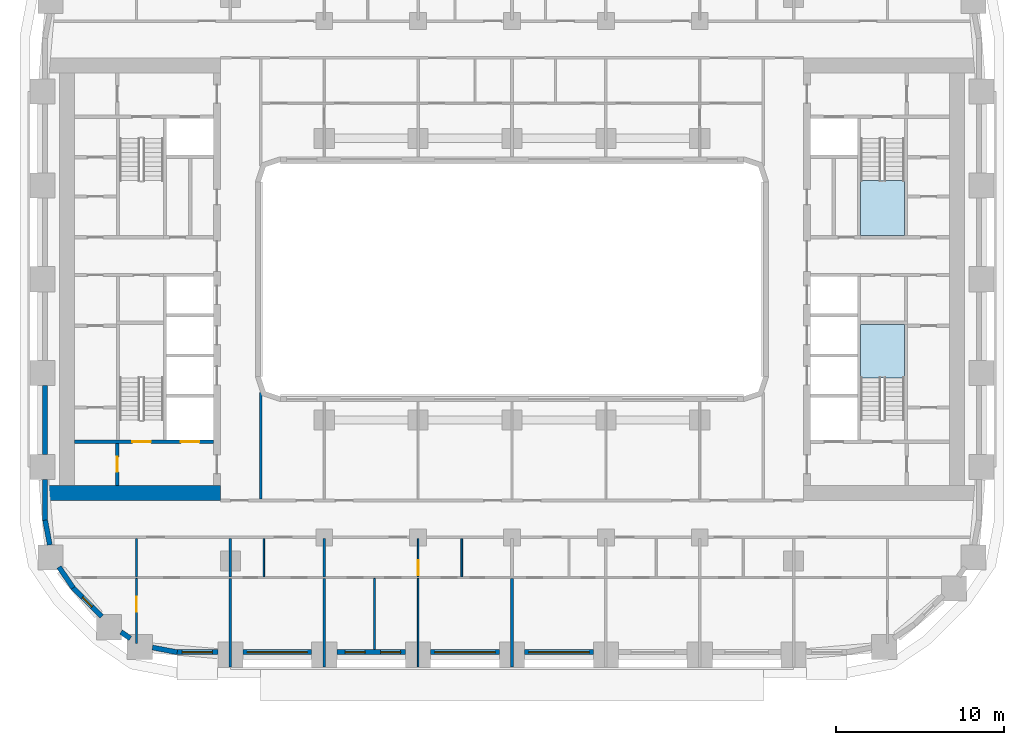
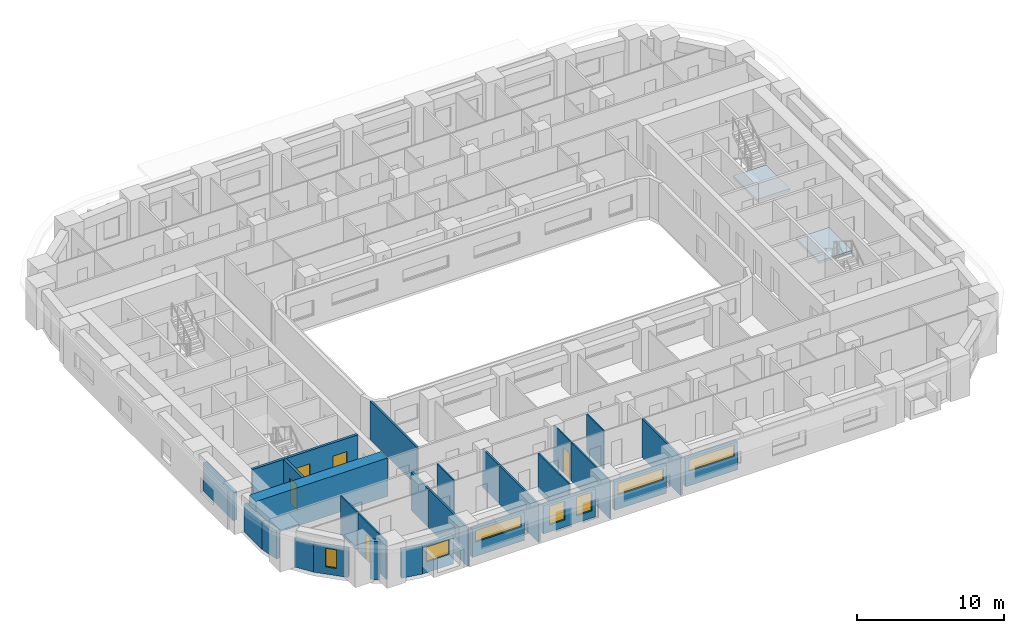
# One storey, part 2 of 22: 28 walls, 7 windows, 5 doors, 2 slabs, 12 openings, 2 elements without a shape of their own.
"""IFC4 building model written with IfcOpenShell, lengths in metres."""

from ifc_helpers import new_model, si_unit, direction, frame, frame_2d, origin, place, context, subcontext, project, spatial, polyline, rectangle, outline, extrude, material, layer, layer_set, type_object, element, fill, aggregate, save


model = new_model("IFC4")

# Units and contexts
model_context = context("Model", 3, precision=1e-05, world=origin(), true_north=direction((0.0, 1.0)))
body_context = subcontext(model_context, "Body", "Model", "MODEL_VIEW")
ifc_project = project(units=[si_unit("LENGTHUNIT", "METRE"), si_unit("AREAUNIT", "SQUARE_METRE"), si_unit("VOLUMEUNIT", "CUBIC_METRE"), si_unit("PLANEANGLEUNIT", "RADIAN"), si_unit("MASSUNIT", "GRAM", prefix="KILO")], contexts=[model_context])

# Site, building, storey
site_placement = place(None, origin())
site = spatial("IfcSite", under=ifc_project, at=site_placement, CompositionType="ELEMENT")
building_placement = place(site_placement, origin())
building = spatial("IfcBuilding", under=site, at=building_placement, Name="Kiln Ring Residences", CompositionType="ELEMENT")
storey_placement = place(building_placement, frame((0.0, 0.0, 44.5)))
storey = spatial("IfcBuildingStorey", under=building, at=storey_placement, Name="L10", CompositionType="ELEMENT", Elevation=44.5)

# Stair, slab
ifc_material_1 = material(Name="Concrete C40/50", Category="concrete")
stair_type = type_object("IfcStairType", Name="CORE-STAIR", PredefinedType="HALF_TURN_STAIR", material=ifc_material_1)
placement_1 = place(storey_placement, origin())
stair_1 = element("IfcStair", 1, at=placement_1, inside=storey, type_object=stair_type, Name="L10 stair E-STN", PredefinedType="HALF_TURN_STAIR")
ifc_material_2 = material(Name="Concrete C40/50", Category="concrete")
ifc_layer_1 = layer(ifc_material_2, 0.199951171875)
ifc_layer_set_1 = layer_set([ifc_layer_1], Name="CORE-STAIR-LANDING")
slab_type = type_object("IfcSlabType", Name="CORE-STAIR-LANDING", PredefinedType="LANDING", material=ifc_layer_set_1)
placement_2 = place(storey_placement, frame((0.0, 0.0, 1.550048828125)))
slab_1 = element("IfcSlab", 2, at=placement_2, type_object=slab_type, Name="E-STN landing 1", PredefinedType="LANDING", context=body_context, shape_type="SweptSolid", body=[
    extrude(outline(polyline([(20.800048828125, 5.8798828125), (20.800048828125, 2.60009765625), (23.39990234375, 2.60009765625), (23.39990234375, 5.8798828125), (20.800048828125, 5.8798828125)])), origin(), (0.0, 0.0, 1.0), 0.199951171875),
])
aggregate(stair_1, [slab_1])

stair_2 = element("IfcStair", 3, at=placement_1, inside=storey, type_object=stair_type, Name="L10 stair E-STS", PredefinedType="HALF_TURN_STAIR")
slab_2 = element("IfcSlab", 4, at=placement_2, type_object=slab_type, Name="E-STS landing 1", PredefinedType="LANDING", context=body_context, shape_type="SweptSolid", body=[
    extrude(outline(polyline([(23.39990234375, -5.8798828125), (23.39990234375, -2.699951171875), (20.800048828125, -2.699951171875), (20.800048828125, -5.8798828125), (23.39990234375, -5.8798828125)])), origin(), (0.0, 0.0, 1.0), 0.199951171875),
])
aggregate(stair_2, [slab_2])

# Wall, opening, door
ifc_material_3 = material(Name="Gypsum board on steel studs", Category="steel")
ifc_layer_2 = layer(ifc_material_3, 0.199951171875)
ifc_layer_set_2 = layer_set([ifc_layer_2], Name="CORE-PARTITION-200")
wall_type_1 = type_object("IfcWallType", Name="CORE-PARTITION-200", PredefinedType="PARTITIONING", material=ifc_layer_set_2)
wall_1_placement = place(storey_placement, frame((-23.550048828125, -12.300048828125, 0.0), z_axis=(0.0, 0.0, 1.0), x_axis=(0.0, 1.0, 0.0)))
wall_1 = element("IfcWall", 5, at=wall_1_placement, inside=storey, type_object=wall_type_1, Name="Core partition west L10 5", PredefinedType="PARTITIONING", context=body_context, shape_type="SweptSolid", body=[
    extrude(rectangle(XDim=2.5, YDim=0.199951171875, at=frame_2d((1.25, 0.0))), origin(), (0.0, 0.0, 1.0), 3.199951171875),
])
opening_1_placement = place(wall_1_placement, frame((0.800048828125, 0.0, 0.0)))
opening_1 = element("IfcOpeningElement", 6, at=opening_1_placement, cuts=wall_1, Name="Opening L10-CW11", PredefinedType="OPENING", context=body_context, shape_type="SweptSolid", body=[
    extrude(rectangle(XDim=0.89990234375, YDim=2.10009765625, at=frame_2d((0.449951171875, 1.050048828125))), frame((0.0, 0.10986328125, 0.0), z_axis=(0.0, -1.0, 0.0), x_axis=(1.0, 0.0, 0.0)), (0.0, 0.0, 1.0), 0.219970703125),
])
ifc_material_4 = material(Name="Steel door leaf", Category="steel")
door_type_1 = type_object("IfcDoorType", Name="CORE-DOOR-ROOM", OperationType="SINGLE_SWING_LEFT", PredefinedType="DOOR", material=ifc_material_4)
door_1_placement = place(opening_1_placement, origin())
door_1 = element("IfcDoor", 7, at=door_1_placement, inside=storey, type_object=door_type_1, Name="Store L10-CW11", OperationType="SINGLE_SWING_LEFT", OverallHeight=2.10009765625, OverallWidth=0.89990234375, PredefinedType="DOOR", context=body_context, shape_type="SweptSolid", body=[
    extrude(rectangle(XDim=0.89990234375, YDim=2.10009765625, at=frame_2d((0.449951171875, 1.050048828125))), frame((0.0, 0.02490234375, 0.0), z_axis=(0.0, -1.0, 0.0), x_axis=(1.0, 0.0, 0.0)), (0.0, 0.0, 1.0), 0.050048828125),
])
fill(opening_1, door_1)

# Wall, openings, doors
ifc_material_5 = material(Name="Concrete C40/50", Category="concrete")
ifc_layer_3 = layer(ifc_material_5, 0.199951171875)
ifc_layer_set_3 = layer_set([ifc_layer_3], Name="CORE-WALL-RC200")
wall_type_2 = type_object("IfcWallType", Name="CORE-WALL-RC200", PredefinedType="SHEAR", material=ifc_layer_set_3)
wall_2_placement = place(storey_placement, frame((-17.800048828125, -9.699951171875, 0.0), z_axis=(0.0, 0.0, 1.0), x_axis=(-1.0, 0.0, 0.0)))
wall_2 = element("IfcWall", 8, at=wall_2_placement, inside=storey, type_object=wall_type_2, Name="Core wall west L10 8", PredefinedType="SHEAR", context=body_context, shape_type="SweptSolid", body=[
    extrude(rectangle(XDim=8.300048828125, YDim=0.199951171875, at=frame_2d((4.14990234375, 0.0))), origin(), (0.0, 0.0, 1.0), 3.199951171875),
])
opening_2_placement = place(wall_2_placement, frame((0.85009765625, 0.0, 0.0)))
opening_2 = element("IfcOpeningElement", 9, at=opening_2_placement, cuts=wall_2, Name="Opening L10-CW01", PredefinedType="OPENING", context=body_context, shape_type="SweptSolid", body=[
    extrude(rectangle(XDim=1.10009765625, YDim=2.10009765625, at=frame_2d((0.550048828125, 1.050048828125))), frame((0.0, 0.10986328125, 0.0), z_axis=(0.0, -1.0, 0.0), x_axis=(1.0, 0.0, 0.0)), (0.0, 0.0, 1.0), 0.219970703125),
])
opening_3_placement = place(wall_2_placement, frame((3.75, 0.0, 0.0)))
opening_3 = element("IfcOpeningElement", 10, at=opening_3_placement, cuts=wall_2, Name="Opening L10-CW13", PredefinedType="OPENING", context=body_context, shape_type="SweptSolid", body=[
    extrude(rectangle(XDim=1.10009765625, YDim=2.10009765625, at=frame_2d((0.550048828125, 1.050048828125))), frame((0.0, 0.10986328125, 0.0), z_axis=(0.0, -1.0, 0.0), x_axis=(1.0, 0.0, 0.0)), (0.0, 0.0, 1.0), 0.219970703125),
])
ifc_material_6 = material(Name="Steel door leaf", Category="steel")
door_type_2 = type_object("IfcDoorType", Name="CORE-DOOR-LD", OperationType="DOUBLE_DOOR_SLIDING", PredefinedType="DOOR", material=ifc_material_6)
door_2_placement = place(opening_2_placement, origin())
door_2 = element("IfcDoor", 11, at=door_2_placement, inside=storey, type_object=door_type_2, Name="LD W-SV L10-CW01", OperationType="DOUBLE_DOOR_SLIDING", OverallHeight=2.10009765625, OverallWidth=1.10009765625, PredefinedType="DOOR", context=body_context, shape_type="SweptSolid", body=[
    extrude(rectangle(XDim=1.10009765625, YDim=2.10009765625, at=frame_2d((0.550048828125, 1.050048828125))), frame((0.0, 0.02490234375, 0.0), z_axis=(0.0, -1.0, 0.0), x_axis=(1.0, 0.0, 0.0)), (0.0, 0.0, 1.0), 0.050048828125),
])
fill(opening_2, door_2)
ifc_material_7 = material(Name="Steel door leaf", Category="steel")
door_type_3 = type_object("IfcDoorType", Name="CORE-DOOR-STAIR", OperationType="SINGLE_SWING_LEFT", PredefinedType="DOOR", material=ifc_material_7)
door_3_placement = place(opening_3_placement, origin())
door_3 = element("IfcDoor", 12, at=door_3_placement, inside=storey, type_object=door_type_3, Name="Stair W-STS L10-CW13", OperationType="SINGLE_SWING_RIGHT", OverallHeight=2.10009765625, OverallWidth=1.10009765625, PredefinedType="DOOR", context=body_context, shape_type="SweptSolid", body=[
    extrude(rectangle(XDim=1.10009765625, YDim=2.10009765625, at=frame_2d((0.550048828125, 1.050048828125))), frame((0.0, 0.02490234375, 0.0), z_axis=(0.0, -1.0, 0.0), x_axis=(1.0, 0.0, 0.0)), (0.0, 0.0, 1.0), 0.050048828125),
])
fill(opening_3, door_3)

# Wall
ifc_material_8 = material(Name="Concrete C60/75", Category="concrete")
ifc_layer_4 = layer(ifc_material_8, 0.89990234375)
ifc_layer_set_4 = layer_set([ifc_layer_4], Name="CORE-WALL-RC900")
wall_type_3 = type_object("IfcWallType", Name="CORE-WALL-RC900", PredefinedType="SHEAR", material=ifc_layer_set_4)
wall_3_placement = place(storey_placement, frame((-17.39990234375, -12.75, 0.0), z_axis=(0.0, 0.0, 1.0), x_axis=(-1.0, 0.0, 0.0)))
element("IfcWall", 13, at=wall_3_placement, inside=storey, type_object=wall_type_3, Name="Core wall west L10 5", PredefinedType="SHEAR", context=body_context, shape_type="SweptSolid", body=[
    extrude(rectangle(XDim=10.400146484375, YDim=0.89990234375, at=frame_2d((5.2001953125, 0.0))), origin(), (0.0, 0.0, 1.0), 3.199951171875),
])

# Wall, opening, window
ifc_material_9 = material(Name="Brick masonry, dark clay brick", Category="masonry")
ifc_layer_5 = layer(ifc_material_9, 0.300048828125)
ifc_layer_set_5 = layer_set([ifc_layer_5], Name="EW-300 BRICK WALL")
wall_type_4 = type_object("IfcWallType", Name="EW-300 BRICK WALL", PredefinedType="SOLIDWALL", material=ifc_layer_set_5)
wall_4_placement = place(storey_placement, frame((-26.19677734375, -18.390869140625, 0.0), z_axis=(0.0, 0.0, 1.0), x_axis=(0.707106781187, -0.707106781187, 0.0)))
wall_4 = element("IfcWall", 14, at=wall_4_placement, inside=storey, type_object=wall_type_4, Name="Facade wall L10 1", PredefinedType="SOLIDWALL", context=body_context, shape_type="SweptSolid", body=[
    extrude(rectangle(XDim=2.449951171875, YDim=0.300048828125, at=frame_2d((1.22509765625, 0.0))), origin(), (0.0, 0.0, 1.0), 2.35009765625),
])
opening_4_placement = place(wall_4_placement, frame((0.824951171875, 0.0, 0.60009765625)))
opening_4 = element("IfcOpeningElement", 15, at=opening_4_placement, cuts=wall_4, Name="Opening W5", PredefinedType="OPENING", context=body_context, shape_type="SweptSolid", body=[
    extrude(rectangle(XDim=0.800048828125, YDim=1.550048828125, at=frame_2d((0.39990234375, 0.77490234375))), frame((0.0, 0.159912109375, 0.0), z_axis=(0.0, -1.0, 0.0), x_axis=(1.0, 0.0, 0.0)), (0.0, 0.0, 1.0), 0.320068359375),
])
ifc_material_10 = material(Name="Aluminium frame with double glazing", Category="aluminium")
window_type_1 = type_object("IfcWindowType", Name="WINDOW 800 x 1550", PartitioningType="SINGLE_PANEL", PredefinedType="WINDOW", material=ifc_material_10)
window_1_placement = place(opening_4_placement, origin())
window_1 = element("IfcWindow", 16, at=window_1_placement, inside=storey, type_object=window_type_1, Name="Window L10 1", OverallHeight=1.550048828125, OverallWidth=0.800048828125, PartitioningType="SINGLE_PANEL", PredefinedType="WINDOW", context=body_context, shape_type="SweptSolid", body=[
    extrude(rectangle(XDim=0.800048828125, YDim=1.550048828125, at=frame_2d((0.39990234375, 0.77490234375))), frame((0.0, 0.030029296875, 0.0), z_axis=(0.0, -1.0, 0.0), x_axis=(1.0, 0.0, 0.0)), (0.0, 0.0, 1.0), 0.06005859375),
])
fill(opening_4, window_1)

# Walls
wall_5_placement = place(storey_placement, frame((-23.3271484375, -21.044921875, 0.0), z_axis=(0.0, 0.0, 1.0), x_axis=(0.827080706709, -0.562083182981, 0.0)))
element("IfcWall", 17, at=wall_5_placement, inside=storey, type_object=wall_type_4, Name="Facade wall L10 2", PredefinedType="SOLIDWALL", context=body_context, shape_type="SweptSolid", body=[
    extrude(rectangle(XDim=0.67724609375, YDim=0.300048828125, at=frame_2d((0.338623046875, 0.0))), origin(), (0.0, 0.0, 1.0), 3.199951171875),
])
wall_6_placement = place(storey_placement, frame((-21.451416015625, -21.970458984375, 0.0), z_axis=(0.0, 0.0, 1.0), x_axis=(0.982287454367, -0.187380247071, 0.0)))
element("IfcWall", 18, at=wall_6_placement, inside=storey, type_object=wall_type_4, Name="Facade wall L10 3", PredefinedType="SOLIDWALL", context=body_context, shape_type="SweptSolid", body=[
    extrude(rectangle(XDim=1.506103515625, YDim=0.300048828125, at=frame_2d((0.7529296875, 0.0))), origin(), (0.0, 0.0, 1.0), 2.35009765625),
])

# Wall, opening, window
wall_7_placement = place(storey_placement, frame((-20.0, -22.25, 0.0), z_axis=(0.0, 0.0, 1.0), x_axis=(1.0, 0.0, 0.0)))
wall_7 = element("IfcWall", 19, at=wall_7_placement, inside=storey, type_object=wall_type_4, Name="Facade wall L10 4", PredefinedType="SOLIDWALL", context=body_context, shape_type="SweptSolid", body=[
    extrude(rectangle(XDim=2.449951171875, YDim=0.300048828125, at=frame_2d((1.22509765625, 0.0))), origin(), (0.0, 0.0, 1.0), 2.35009765625),
])
opening_5_placement = place(wall_7_placement, frame((0.324951171875, 0.0, 0.89990234375)))
opening_5 = element("IfcOpeningElement", 20, at=opening_5_placement, cuts=wall_7, Name="Opening W2", PredefinedType="OPENING", context=body_context, shape_type="SweptSolid", body=[
    extrude(rectangle(XDim=1.800048828125, YDim=1.25, at=frame_2d((0.89990234375, 0.625))), frame((0.0, 0.159912109375, 0.0), z_axis=(0.0, -1.0, 0.0), x_axis=(1.0, 0.0, 0.0)), (0.0, 0.0, 1.0), 0.320068359375),
])
ifc_material_11 = material(Name="Aluminium frame with double glazing", Category="aluminium")
window_type_2 = type_object("IfcWindowType", Name="WINDOW 1800 x 1250", PartitioningType="SINGLE_PANEL", PredefinedType="WINDOW", material=ifc_material_11)
window_2_placement = place(opening_5_placement, origin())
window_2 = element("IfcWindow", 21, at=window_2_placement, inside=storey, type_object=window_type_2, Name="Window L10 2", OverallHeight=1.25, OverallWidth=1.800048828125, PartitioningType="SINGLE_PANEL", PredefinedType="WINDOW", context=body_context, shape_type="SweptSolid", body=[
    extrude(rectangle(XDim=1.800048828125, YDim=1.25, at=frame_2d((0.89990234375, 0.625))), frame((0.0, 0.030029296875, 0.0), z_axis=(0.0, -1.0, 0.0), x_axis=(1.0, 0.0, 0.0)), (0.0, 0.0, 1.0), 0.06005859375),
])
fill(opening_5, window_2)

wall_8_placement = place(storey_placement, frame((-16.050048828125, -22.25, 0.0), z_axis=(0.0, 0.0, 1.0), x_axis=(1.0, 0.0, 0.0)))
wall_8 = element("IfcWall", 22, at=wall_8_placement, inside=storey, type_object=wall_type_4, Name="Facade wall L10 5", PredefinedType="SOLIDWALL", context=body_context, shape_type="SweptSolid", body=[
    extrude(rectangle(XDim=4.10009765625, YDim=0.300048828125, at=frame_2d((2.050048828125, 0.0))), origin(), (0.0, 0.0, 1.0), 2.35009765625),
])
opening_6_placement = place(wall_8_placement, frame((0.25, 0.0, 1.199951171875)))
opening_6 = element("IfcOpeningElement", 23, at=opening_6_placement, cuts=wall_8, Name="Opening W4", PredefinedType="OPENING", context=body_context, shape_type="SweptSolid", body=[
    extrude(rectangle(XDim=3.60009765625, YDim=0.949951171875, at=frame_2d((1.800048828125, 0.47509765625))), frame((0.0, 0.159912109375, 0.0), z_axis=(0.0, -1.0, 0.0), x_axis=(1.0, 0.0, 0.0)), (0.0, 0.0, 1.0), 0.320068359375),
])
ifc_material_12 = material(Name="Aluminium frame with double glazing", Category="aluminium")
window_type_3 = type_object("IfcWindowType", Name="WINDOW 3600 x 950", PartitioningType="SINGLE_PANEL", PredefinedType="WINDOW", material=ifc_material_12)
window_3_placement = place(opening_6_placement, origin())
window_3 = element("IfcWindow", 24, at=window_3_placement, inside=storey, type_object=window_type_3, Name="Window L10 3", OverallHeight=0.949951171875, OverallWidth=3.60009765625, PartitioningType="SINGLE_PANEL", PredefinedType="WINDOW", context=body_context, shape_type="SweptSolid", body=[
    extrude(rectangle(XDim=3.60009765625, YDim=0.949951171875, at=frame_2d((1.800048828125, 0.47509765625))), frame((0.0, 0.030029296875, 0.0), z_axis=(0.0, -1.0, 0.0), x_axis=(1.0, 0.0, 0.0)), (0.0, 0.0, 1.0), 0.06005859375),
])
fill(opening_6, window_3)

# Wall, openings, windows
wall_9_placement = place(storey_placement, frame((-10.449951171875, -22.25, 0.0), z_axis=(0.0, 0.0, 1.0), x_axis=(1.0, 0.0, 0.0)))
wall_9 = element("IfcWall", 25, at=wall_9_placement, inside=storey, type_object=wall_type_4, Name="Facade wall L10 6", PredefinedType="SOLIDWALL", context=body_context, shape_type="SweptSolid", body=[
    extrude(rectangle(XDim=4.099853515625, YDim=0.300048828125, at=frame_2d((2.0498046875, 0.0))), origin(), (0.0, 0.0, 1.0), 2.35009765625),
])
opening_7_placement = place(wall_9_placement, frame((0.487548828125, 0.0, 0.60009765625)))
opening_7 = element("IfcOpeningElement", 26, at=opening_7_placement, cuts=wall_9, Name="Opening W1", PredefinedType="OPENING", context=body_context, shape_type="SweptSolid", body=[
    extrude(rectangle(XDim=1.199951171875, YDim=1.550048828125, at=frame_2d((0.60009765625, 0.77490234375))), frame((0.0, 0.159912109375, 0.0), z_axis=(0.0, -1.0, 0.0), x_axis=(1.0, 0.0, 0.0)), (0.0, 0.0, 1.0), 0.320068359375),
])
opening_8_placement = place(wall_9_placement, frame((2.612548828125, 0.0, 0.60009765625)))
opening_8 = element("IfcOpeningElement", 27, at=opening_8_placement, cuts=wall_9, Name="Opening W1", PredefinedType="OPENING", context=body_context, shape_type="SweptSolid", body=[
    extrude(rectangle(XDim=1.199951171875, YDim=1.550048828125, at=frame_2d((0.60009765625, 0.77490234375))), frame((0.0, 0.159912109375, 0.0), z_axis=(0.0, -1.0, 0.0), x_axis=(1.0, 0.0, 0.0)), (0.0, 0.0, 1.0), 0.320068359375),
])
ifc_material_13 = material(Name="Aluminium frame with double glazing", Category="aluminium")
window_type_4 = type_object("IfcWindowType", Name="WINDOW 1200 x 1550", PartitioningType="SINGLE_PANEL", PredefinedType="WINDOW", material=ifc_material_13)
window_4_placement = place(opening_7_placement, origin())
window_4 = element("IfcWindow", 28, at=window_4_placement, inside=storey, type_object=window_type_4, Name="Window L10 4", OverallHeight=1.550048828125, OverallWidth=1.199951171875, PartitioningType="SINGLE_PANEL", PredefinedType="WINDOW", context=body_context, shape_type="SweptSolid", body=[
    extrude(rectangle(XDim=1.199951171875, YDim=1.550048828125, at=frame_2d((0.60009765625, 0.77490234375))), frame((0.0, 0.030029296875, 0.0), z_axis=(0.0, -1.0, 0.0), x_axis=(1.0, 0.0, 0.0)), (0.0, 0.0, 1.0), 0.06005859375),
])
fill(opening_7, window_4)
window_5_placement = place(opening_8_placement, origin())
window_5 = element("IfcWindow", 29, at=window_5_placement, inside=storey, type_object=window_type_4, Name="Window L10 5", OverallHeight=1.550048828125, OverallWidth=1.199951171875, PartitioningType="SINGLE_PANEL", PredefinedType="WINDOW", context=body_context, shape_type="SweptSolid", body=[
    extrude(rectangle(XDim=1.199951171875, YDim=1.550048828125, at=frame_2d((0.60009765625, 0.77490234375))), frame((0.0, 0.030029296875, 0.0), z_axis=(0.0, -1.0, 0.0), x_axis=(1.0, 0.0, 0.0)), (0.0, 0.0, 1.0), 0.06005859375),
])
fill(opening_8, window_5)

# Wall, opening, window
wall_10_placement = place(storey_placement, frame((-4.85009765625, -22.25, 0.0), z_axis=(0.0, 0.0, 1.0), x_axis=(1.0, 0.0, 0.0)))
wall_10 = element("IfcWall", 30, at=wall_10_placement, inside=storey, type_object=wall_type_4, Name="Facade wall L10 7", PredefinedType="SOLIDWALL", context=body_context, shape_type="SweptSolid", body=[
    extrude(rectangle(XDim=4.10009765625, YDim=0.300048828125, at=frame_2d((2.050048828125, 0.0))), origin(), (0.0, 0.0, 1.0), 2.35009765625),
])
opening_9_placement = place(wall_10_placement, frame((0.25, 0.0, 1.199951171875)))
opening_9 = element("IfcOpeningElement", 31, at=opening_9_placement, cuts=wall_10, Name="Opening W4", PredefinedType="OPENING", context=body_context, shape_type="SweptSolid", body=[
    extrude(rectangle(XDim=3.60009765625, YDim=0.949951171875, at=frame_2d((1.800048828125, 0.47509765625))), frame((0.0, 0.159912109375, 0.0), z_axis=(0.0, -1.0, 0.0), x_axis=(1.0, 0.0, 0.0)), (0.0, 0.0, 1.0), 0.320068359375),
])
window_6_placement = place(opening_9_placement, origin())
window_6 = element("IfcWindow", 32, at=window_6_placement, inside=storey, type_object=window_type_3, Name="Window L10 6", OverallHeight=0.949951171875, OverallWidth=3.60009765625, PartitioningType="SINGLE_PANEL", PredefinedType="WINDOW", context=body_context, shape_type="SweptSolid", body=[
    extrude(rectangle(XDim=3.60009765625, YDim=0.949951171875, at=frame_2d((1.800048828125, 0.47509765625))), frame((0.0, 0.030029296875, 0.0), z_axis=(0.0, -1.0, 0.0), x_axis=(1.0, 0.0, 0.0)), (0.0, 0.0, 1.0), 0.06005859375),
])
fill(opening_9, window_6)

wall_11_placement = place(storey_placement, frame((0.75, -22.25, 0.0), z_axis=(0.0, 0.0, 1.0), x_axis=(1.0, 0.0, 0.0)))
wall_11 = element("IfcWall", 33, at=wall_11_placement, inside=storey, type_object=wall_type_4, Name="Facade wall L10 8", PredefinedType="SOLIDWALL", context=body_context, shape_type="SweptSolid", body=[
    extrude(rectangle(XDim=4.10009765625, YDim=0.300048828125, at=frame_2d((2.050048828125, 0.0))), origin(), (0.0, 0.0, 1.0), 2.35009765625),
])
opening_10_placement = place(wall_11_placement, frame((0.25, 0.0, 1.199951171875)))
opening_10 = element("IfcOpeningElement", 34, at=opening_10_placement, cuts=wall_11, Name="Opening W4", PredefinedType="OPENING", context=body_context, shape_type="SweptSolid", body=[
    extrude(rectangle(XDim=3.60009765625, YDim=0.949951171875, at=frame_2d((1.800048828125, 0.47509765625))), frame((0.0, 0.159912109375, 0.0), z_axis=(0.0, -1.0, 0.0), x_axis=(1.0, 0.0, 0.0)), (0.0, 0.0, 1.0), 0.320068359375),
])
window_7_placement = place(opening_10_placement, origin())
window_7 = element("IfcWindow", 35, at=window_7_placement, inside=storey, type_object=window_type_3, Name="Window L10 7", OverallHeight=0.949951171875, OverallWidth=3.60009765625, PartitioningType="SINGLE_PANEL", PredefinedType="WINDOW", context=body_context, shape_type="SweptSolid", body=[
    extrude(rectangle(XDim=3.60009765625, YDim=0.949951171875, at=frame_2d((1.800048828125, 0.47509765625))), frame((0.0, 0.030029296875, 0.0), z_axis=(0.0, -1.0, 0.0), x_axis=(1.0, 0.0, 0.0)), (0.0, 0.0, 1.0), 0.06005859375),
])
fill(opening_10, window_7)

# Walls
wall_12_placement = place(storey_placement, frame((-27.85009765625, -6.35009765625, 0.0), z_axis=(0.0, 0.0, 1.0), x_axis=(0.0, -1.0, 0.0)))
element("IfcWall", 36, at=wall_12_placement, inside=storey, type_object=wall_type_4, Name="Facade wall L10 45", PredefinedType="SOLIDWALL", context=body_context, shape_type="SweptSolid", body=[
    extrude(rectangle(XDim=4.099853515625, YDim=0.300048828125, at=frame_2d((2.0498046875, 0.0))), origin(), (0.0, 0.0, 1.0), 2.35009765625),
])
wall_13_placement = place(storey_placement, frame((-27.85009765625, -11.949951171875, 0.0), z_axis=(0.0, 0.0, 1.0), x_axis=(0.0, -1.0, 0.0)))
element("IfcWall", 37, at=wall_13_placement, inside=storey, type_object=wall_type_4, Name="Facade wall L10 46", PredefinedType="SOLIDWALL", context=body_context, shape_type="SweptSolid", body=[
    extrude(rectangle(XDim=2.449951171875, YDim=0.300048828125, at=frame_2d((1.22509765625, 0.0))), origin(), (0.0, 0.0, 1.0), 2.35009765625),
])
for number, where, z_axis, x_axis, name in (
    (38, (-27.8525390625, -14.371826171875, 0.0), (0.0, 0.0, 1.0), (0.187223837635, -0.982317277982, 0.0), "Facade wall L10 47"),
    (39, (-27.025390625, -17.1669921875, 0.0), (0.0, 0.0, 1.0), (0.561973021955, -0.827155561303, 0.0), "Facade wall L10 48"),
):
    element("IfcWall", number, at=place(storey_placement, frame(where, z_axis=z_axis, x_axis=x_axis)), inside=storey, type_object=wall_type_4, Name=name, PredefinedType="SOLIDWALL", context=body_context, shape_type="SweptSolid", body=[
        extrude(rectangle(XDim=1.506103515625, YDim=0.300048828125, at=frame_2d((0.7529296875, 0.0))), origin(), (0.0, 0.0, 1.0), 2.35009765625),
    ])

# Wall, opening, door
ifc_material_14 = material(Name="Gypsum board on steel studs", Category="steel")
ifc_layer_6 = layer(ifc_material_14, 0.10009765625)
ifc_layer_set_6 = layer_set([ifc_layer_6], Name="PARTITION-100")
wall_type_5 = type_object("IfcWallType", Name="PARTITION-100", PredefinedType="PARTITIONING", material=ifc_layer_set_6)
wall_14_placement = place(storey_placement, frame((-22.39990234375, -21.719970703125, 0.0), z_axis=(0.0, 0.0, 1.0), x_axis=(0.0, 1.0, 0.0)))
wall_14 = element("IfcWall", 40, at=wall_14_placement, inside=storey, type_object=wall_type_5, Name="Partition 007", PredefinedType="PARTITIONING", context=body_context, shape_type="SweptSolid", body=[
    extrude(rectangle(XDim=3.869873046875, YDim=0.10009765625, at=frame_2d((1.93505859375, 0.0))), origin(), (0.0, 0.0, 1.0), 3.199951171875),
])
opening_11_placement = place(wall_14_placement, frame((1.8701171875, 0.0, 0.0)))
opening_11 = element("IfcOpeningElement", 41, at=opening_11_placement, cuts=wall_14, Name="Opening L10-D054", PredefinedType="OPENING", context=body_context, shape_type="SweptSolid", body=[
    extrude(rectangle(XDim=0.89990234375, YDim=2.10009765625, at=frame_2d((0.449951171875, 1.050048828125))), frame((0.0, 0.06005859375, 0.0), z_axis=(0.0, -1.0, 0.0), x_axis=(1.0, 0.0, 0.0)), (0.0, 0.0, 1.0), 0.1201171875),
])
ifc_material_15 = material(Name="Timber door leaf", Category="wood")
door_type_4 = type_object("IfcDoorType", Name="FLAT-DOOR-900-PL", OperationType="SINGLE_SWING_LEFT", PredefinedType="DOOR", material=ifc_material_15)
door_4_placement = place(opening_11_placement, origin())
door_4 = element("IfcDoor", 42, at=door_4_placement, inside=storey, type_object=door_type_4, Name="Door L10-D054", OperationType="SINGLE_SWING_LEFT", OverallHeight=2.10009765625, OverallWidth=0.89990234375, PredefinedType="DOOR", context=body_context, shape_type="SweptSolid", body=[
    extrude(rectangle(XDim=0.89990234375, YDim=2.10009765625, at=frame_2d((0.449951171875, 1.050048828125))), frame((0.0, 0.02490234375, 0.0), z_axis=(0.0, -1.0, 0.0), x_axis=(1.0, 0.0, 0.0)), (0.0, 0.0, 1.0), 0.050048828125),
])
fill(opening_11, door_4)

# Walls
for number, where, z_axis, x_axis, name in (
    (43, (-22.39990234375, -17.75, 0.0), (0.0, 0.0, 1.0), (0.0, 1.0, 0.0), "Partition 008"),
    (44, (-14.800048828125, -17.75, 0.0), (0.0, 0.0, 1.0), (0.0, 1.0, 0.0), "Partition 017"),
):
    element("IfcWall", number, at=place(storey_placement, frame(where, z_axis=z_axis, x_axis=x_axis)), inside=storey, type_object=wall_type_5, Name=name, PredefinedType="PARTITIONING", context=body_context, shape_type="SweptSolid", body=[
        extrude(rectangle(XDim=2.27490234375, YDim=0.10009765625, at=frame_2d((1.137451171875, 0.0))), origin(), (0.0, 0.0, 1.0), 3.199951171875),
    ])
wall_15_placement = place(storey_placement, frame((-8.199951171875, -22.080078125, 0.0), z_axis=(0.0, 0.0, 1.0), x_axis=(0.0, 1.0, 0.0)))
element("IfcWall", 45, at=wall_15_placement, inside=storey, type_object=wall_type_5, Name="Partition 027", PredefinedType="PARTITIONING", context=body_context, shape_type="SweptSolid", body=[
    extrude(rectangle(XDim=4.22998046875, YDim=0.10009765625, at=frame_2d((2.114990234375, 0.0))), origin(), (0.0, 0.0, 1.0), 3.199951171875),
])
wall_16_placement = place(storey_placement, frame((-5.60009765625, -23.1298828125, 0.0), z_axis=(0.0, 0.0, 1.0), x_axis=(0.0, 1.0, 0.0)))
element("IfcWall", 46, at=wall_16_placement, inside=storey, type_object=wall_type_5, Name="Partition 028", PredefinedType="PARTITIONING", context=body_context, shape_type="SweptSolid", body=[
    extrude(rectangle(XDim=5.27978515625, YDim=0.10009765625, at=frame_2d((2.639892578125, 0.0))), origin(), (0.0, 0.0, 1.0), 3.199951171875),
])

# Wall, opening, door
wall_17_placement = place(storey_placement, frame((-5.60009765625, -17.75, 0.0), z_axis=(0.0, 0.0, 1.0), x_axis=(0.0, 1.0, 0.0)))
wall_17 = element("IfcWall", 47, at=wall_17_placement, inside=storey, type_object=wall_type_5, Name="Partition 029", PredefinedType="PARTITIONING", context=body_context, shape_type="SweptSolid", body=[
    extrude(rectangle(XDim=2.27490234375, YDim=0.10009765625, at=frame_2d((1.137451171875, 0.0))), origin(), (0.0, 0.0, 1.0), 3.199951171875),
])
opening_12_placement = place(wall_17_placement, frame((0.10009765625, 0.0, 0.0)))
opening_12 = element("IfcOpeningElement", 48, at=opening_12_placement, cuts=wall_17, Name="Opening L10-D059", PredefinedType="OPENING", context=body_context, shape_type="SweptSolid", body=[
    extrude(rectangle(XDim=0.89990234375, YDim=2.10009765625, at=frame_2d((0.449951171875, 1.050048828125))), frame((0.0, 0.06005859375, 0.0), z_axis=(0.0, -1.0, 0.0), x_axis=(1.0, 0.0, 0.0)), (0.0, 0.0, 1.0), 0.1201171875),
])
door_5_placement = place(opening_12_placement, origin())
door_5 = element("IfcDoor", 49, at=door_5_placement, inside=storey, type_object=door_type_4, Name="Door L10-D059", OperationType="SINGLE_SWING_LEFT", OverallHeight=2.10009765625, OverallWidth=0.89990234375, PredefinedType="DOOR", context=body_context, shape_type="SweptSolid", body=[
    extrude(rectangle(XDim=0.89990234375, YDim=2.10009765625, at=frame_2d((0.449951171875, 1.050048828125))), frame((0.0, 0.02490234375, 0.0), z_axis=(0.0, -1.0, 0.0), x_axis=(1.0, 0.0, 0.0)), (0.0, 0.0, 1.0), 0.050048828125),
])
fill(opening_12, door_5)

# Walls
wall_18_placement = place(storey_placement, frame((-3.0, -17.75, 0.0), z_axis=(0.0, 0.0, 1.0), x_axis=(0.0, 1.0, 0.0)))
element("IfcWall", 50, at=wall_18_placement, inside=storey, type_object=wall_type_5, Name="Partition 036", PredefinedType="PARTITIONING", context=body_context, shape_type="SweptSolid", body=[
    extrude(rectangle(XDim=2.27490234375, YDim=0.10009765625, at=frame_2d((1.137451171875, 0.0))), origin(), (0.0, 0.0, 1.0), 3.199951171875),
])
ifc_material_16 = material(Name="Brick masonry partition", Category="masonry")
ifc_layer_7 = layer(ifc_material_16, 0.14990234375)
ifc_layer_set_7 = layer_set([ifc_layer_7], Name="PARTITION-150-ei60")
wall_type_6 = type_object("IfcWallType", Name="PARTITION-150-ei60", PredefinedType="PARTITIONING", material=ifc_layer_set_7)
wall_19_placement = place(storey_placement, frame((-16.800048828125, -23.1298828125, 0.0), z_axis=(0.0, 0.0, 1.0), x_axis=(0.0, 1.0, 0.0)))
element("IfcWall", 51, at=wall_19_placement, inside=storey, type_object=wall_type_6, Name="Partition 011", PredefinedType="PARTITIONING", context=body_context, shape_type="SweptSolid", body=[
    extrude(rectangle(XDim=5.27978515625, YDim=0.14990234375, at=frame_2d((2.639892578125, 0.0))), origin(), (0.0, 0.0, 1.0), 3.199951171875),
])
wall_20_placement = place(storey_placement, frame((-16.800048828125, -17.75, 0.0), z_axis=(0.0, 0.0, 1.0), x_axis=(0.0, 1.0, 0.0)))
element("IfcWall", 52, at=wall_20_placement, inside=storey, type_object=wall_type_6, Name="Partition 012", PredefinedType="PARTITIONING", context=body_context, shape_type="SweptSolid", body=[
    extrude(rectangle(XDim=2.27490234375, YDim=0.14990234375, at=frame_2d((1.137451171875, 0.0))), origin(), (0.0, 0.0, 1.0), 3.199951171875),
])
wall_21_placement = place(storey_placement, frame((-15.0, -13.125, 0.0), z_axis=(0.0, 0.0, 1.0), x_axis=(0.0, 1.0, 0.0)))
element("IfcWall", 53, at=wall_21_placement, inside=storey, type_object=wall_type_6, Name="Partition 015", PredefinedType="PARTITIONING", context=body_context, shape_type="SweptSolid", body=[
    extrude(rectangle(XDim=6.356201171875, YDim=0.14990234375, at=frame_2d((3.17822265625, 0.0))), origin(), (0.0, 0.0, 1.0), 3.199951171875),
])
wall_22_placement = place(storey_placement, frame((-11.199951171875, -23.1298828125, 0.0), z_axis=(0.0, 0.0, 1.0), x_axis=(0.0, 1.0, 0.0)))
element("IfcWall", 54, at=wall_22_placement, inside=storey, type_object=wall_type_6, Name="Partition 024", PredefinedType="PARTITIONING", context=body_context, shape_type="SweptSolid", body=[
    extrude(rectangle(XDim=5.27978515625, YDim=0.14990234375, at=frame_2d((2.639892578125, 0.0))), origin(), (0.0, 0.0, 1.0), 3.199951171875),
])
wall_23_placement = place(storey_placement, frame((-11.199951171875, -17.75, 0.0), z_axis=(0.0, 0.0, 1.0), x_axis=(0.0, 1.0, 0.0)))
element("IfcWall", 55, at=wall_23_placement, inside=storey, type_object=wall_type_6, Name="Partition 025", PredefinedType="PARTITIONING", context=body_context, shape_type="SweptSolid", body=[
    extrude(rectangle(XDim=2.27490234375, YDim=0.14990234375, at=frame_2d((1.137451171875, 0.0))), origin(), (0.0, 0.0, 1.0), 3.199951171875),
])
wall_24_placement = place(storey_placement, frame((0.0, -23.1298828125, 0.0), z_axis=(0.0, 0.0, 1.0), x_axis=(0.0, 1.0, 0.0)))
element("IfcWall", 56, at=wall_24_placement, inside=storey, type_object=wall_type_6, Name="Partition 039", PredefinedType="PARTITIONING", context=body_context, shape_type="SweptSolid", body=[
    extrude(rectangle(XDim=5.27978515625, YDim=0.14990234375, at=frame_2d((2.639892578125, 0.0))), origin(), (0.0, 0.0, 1.0), 3.199951171875),
])

save(model, "model.ifc")
